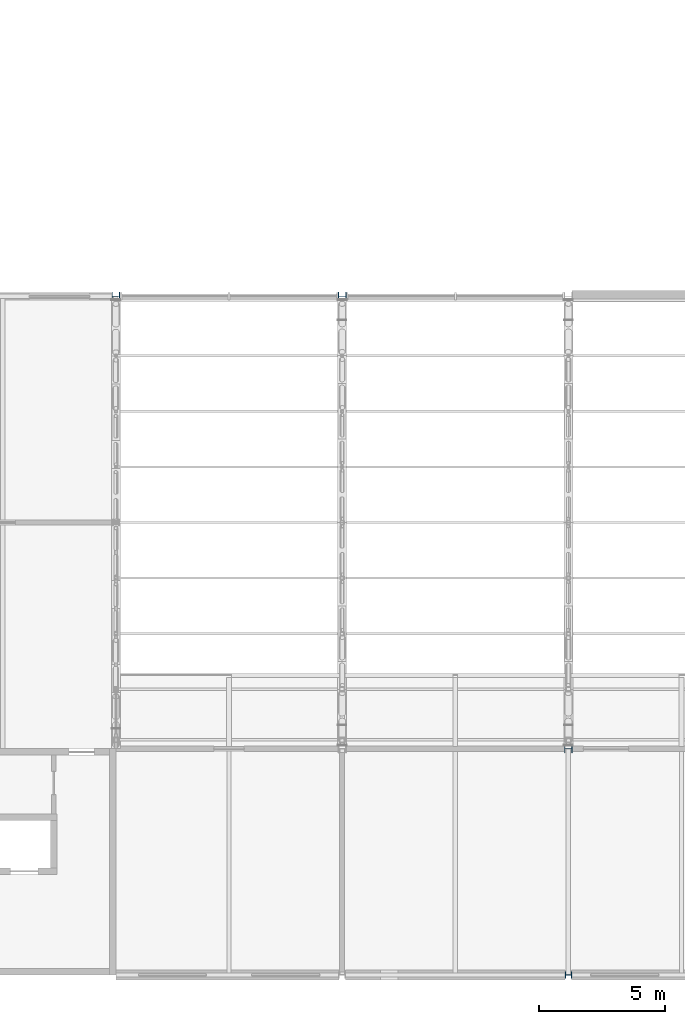
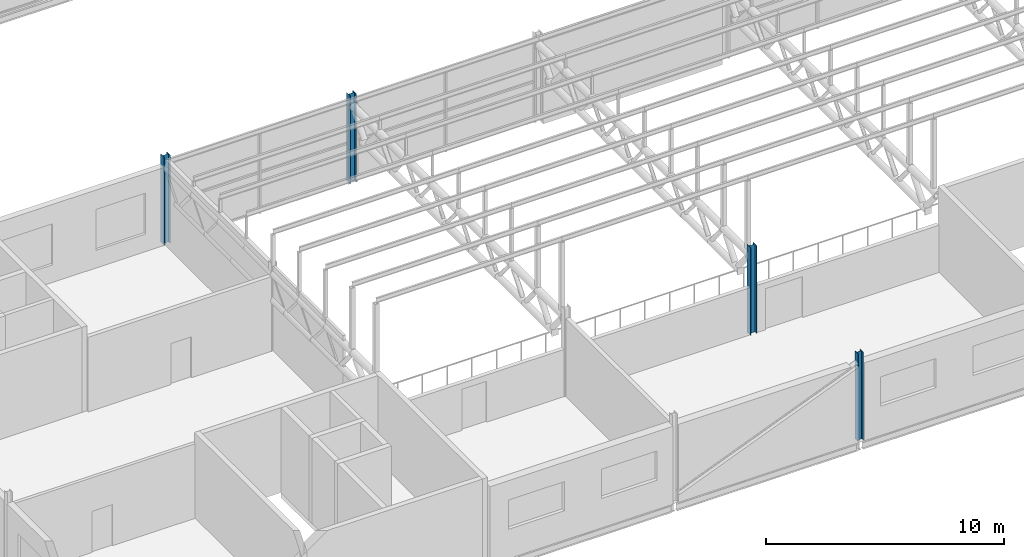
# One storey, part 2 of 138: 4 columns.
"""IFC4 building model written with IfcOpenShell, lengths in metres."""

from ifc_helpers import new_model, si_unit, direction, frame, origin, origin_2d, place, context, subcontext, project, spatial, i_section, extrude, material, material_profile, profile_set, type_object, element, save


model = new_model("IFC4")

# Units and contexts
model_context = context("Model", 3, precision=1e-05, world=origin(), true_north=direction((0.0, 1.0)))
body_context = subcontext(model_context, "Body", "Model", "MODEL_VIEW")
ifc_project = project(units=[si_unit("LENGTHUNIT", "METRE"), si_unit("AREAUNIT", "SQUARE_METRE"), si_unit("VOLUMEUNIT", "CUBIC_METRE"), si_unit("PLANEANGLEUNIT", "RADIAN"), si_unit("MASSUNIT", "GRAM", prefix="KILO")], contexts=[model_context])

# Site, building, storey
site_placement = place(None, origin())
site = spatial("IfcSite", under=ifc_project, at=site_placement, CompositionType="ELEMENT")
building_placement = place(site_placement, origin())
building = spatial("IfcBuilding", under=site, at=building_placement, Name="Corbel Yard City Hall", CompositionType="ELEMENT")
storey_placement = place(building_placement, frame((0.0, 0.0, 10.5)))
storey = spatial("IfcBuildingStorey", under=building, at=storey_placement, Name="L02", CompositionType="ELEMENT", Elevation=10.5)

# Columns
ifc_material = material(Name="Steel Grade 300 (300 MPa yield)", Category="steel")
ifc_material_profile_1 = material_profile(ifc_material, i_section(OverallWidth=0.25390625, OverallDepth=0.25390625, WebThickness=0.008544921875, FlangeThickness=0.01416015625, at=origin_2d()), Name="250UC72.9")
ifc_profile_set_1 = profile_set([ifc_material_profile_1], Name="Steel Grade 300 (300 MPa yield)")
column_type_1 = type_object("IfcColumnType", Name="Column 250UC72.9", PredefinedType="COLUMN", material=ifc_profile_set_1)
column_placement = place(storey_placement, frame((36.0, 0.0, 0.0), z_axis=(0.0, 0.0, 1.0), x_axis=(0.0, 1.0, 0.0)))
element("IfcColumn", 1, at=column_placement, inside=storey, type_object=column_type_1, Name="Column 250UC72.9 A/5 L02", PredefinedType="COLUMN", context=body_context, shape_type="SweptSolid", body=[
    extrude(i_section(OverallWidth=0.25390625, OverallDepth=0.25390625, WebThickness=0.008544921875, FlangeThickness=0.01416015625, at=origin_2d()), origin(), (0.0, 0.0, 1.0), 4.5),
])
ifc_material_profile_2 = material_profile(ifc_material, i_section(OverallWidth=0.304931640625, OverallDepth=0.30810546875, WebThickness=0.010009765625, FlangeThickness=0.015380859375, at=origin_2d()), Name="310UC96.8")
ifc_profile_set_2 = profile_set([ifc_material_profile_2], Name="Steel Grade 300 (300 MPa yield)")
column_type_2 = type_object("IfcColumnType", Name="Column 310UC96.8", PredefinedType="COLUMN", material=ifc_profile_set_2)
for number, where, z_axis, x_axis, name in (
    (2, (18.0, 27.0, 0.0), (0.0, 0.0, 1.0), (0.0, 1.0, 0.0), "Column 310UC96.8 D/3 L02"),
    (3, (27.0, 27.0, 0.0), (0.0, 0.0, 1.0), (0.0, 1.0, 0.0), "Column 310UC96.8 D/4 L02"),
    (4, (36.0, 9.0, 0.0), (0.0, 0.0, 1.0), (0.0, 1.0, 0.0), "Column 310UC96.8 B/5 L02"),
):
    element("IfcColumn", number, at=place(storey_placement, frame(where, z_axis=z_axis, x_axis=x_axis)), inside=storey, type_object=column_type_2, Name=name, PredefinedType="COLUMN", context=body_context, shape_type="SweptSolid", body=[
        extrude(i_section(OverallWidth=0.304931640625, OverallDepth=0.30810546875, WebThickness=0.010009765625, FlangeThickness=0.015380859375, at=origin_2d()), origin(), (0.0, 0.0, 1.0), 4.5),
    ])

save(model, "model.ifc")
